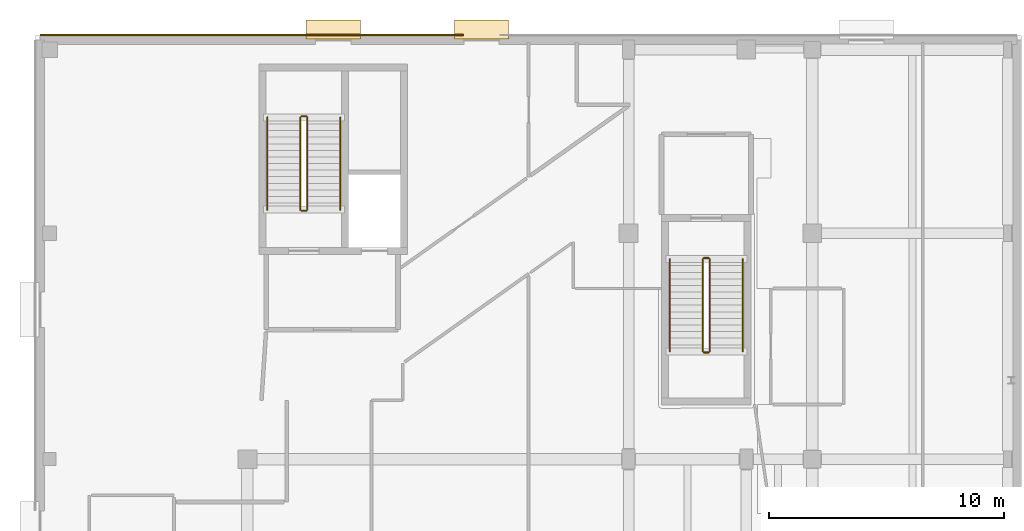
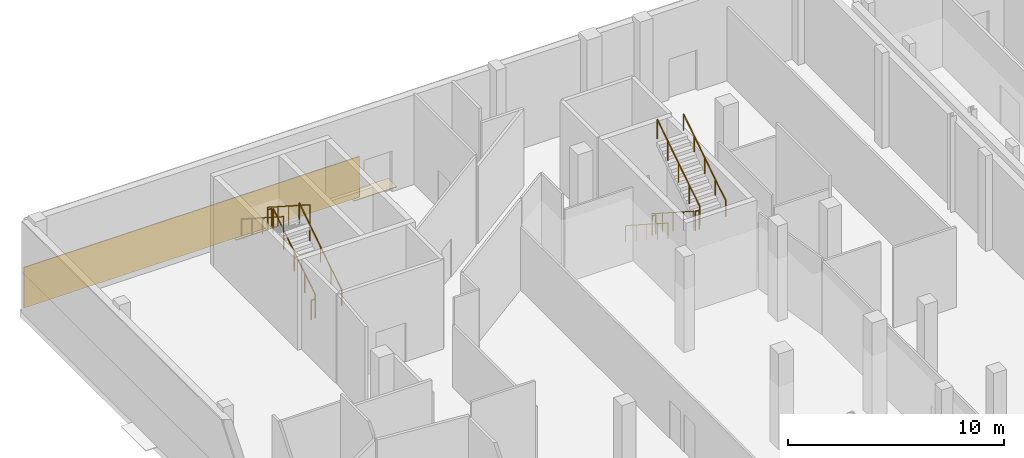
# One storey, part 70 of 84: 12 railings, 3 coverings.
"""IFC4 building model written with IfcOpenShell, lengths in metres."""

from ifc_helpers import new_model, si_unit, direction, frame, origin, origin_2d, place, context, subcontext, project, spatial, rectangle, circle, extrude, material, layer, layer_set, type_object, element, save


model = new_model("IFC4")

# Units and contexts
model_context = context("Model", 3, precision=1e-05, world=origin(), true_north=direction((0.0, 1.0)))
body_context = subcontext(model_context, "Body", "Model", "MODEL_VIEW")
ifc_project = project(units=[si_unit("LENGTHUNIT", "METRE"), si_unit("AREAUNIT", "SQUARE_METRE"), si_unit("VOLUMEUNIT", "CUBIC_METRE"), si_unit("PLANEANGLEUNIT", "RADIAN"), si_unit("MASSUNIT", "GRAM", prefix="KILO")], contexts=[model_context])

# Site, building, storey
site_placement = place(None, origin())
site = spatial("IfcSite", under=ifc_project, at=site_placement, CompositionType="ELEMENT")
building_placement = place(site_placement, origin())
building = spatial("IfcBuilding", under=site, at=building_placement, Name="Mzevani Central Library", CompositionType="ELEMENT")
storey_placement = place(building_placement, origin())
storey = spatial("IfcBuildingStorey", under=building, at=storey_placement, Name="L00", CompositionType="ELEMENT", Elevation=0.0)

# Railings
ifc_material_1 = material(Name="Brushed stainless steel rail", Category="steel")
railing_type_1 = type_object("IfcRailingType", Name="Interior Gallery and Stair Guard 1100", PredefinedType="BALUSTRADE", material=ifc_material_1)
railing_1_placement = place(storey_placement, frame((15.550048828125, 110.60009765625, 0.179931640625)))
element("IfcRailing", 1, at=railing_1_placement, inside=storey, type_object=railing_type_1, Name="L00 ST-03 stair guard 1", PredefinedType="BALUSTRADE", context=body_context, shape_type="SweptSolid", body=[
    extrude(circle(Radius=0.02392578125, at=origin_2d()), frame((0.0, 0.0, 1.076171875), z_axis=(0.0, 0.841171666519, 0.540768182723), x_axis=(-1.0, 0.0, 0.0)), (0.0, 0.0, 1.0), 4.66015625),
    extrude(circle(Radius=0.02099609375, at=origin_2d()), origin(), (0.0, 0.0, 1.0), 1.052001953125),
    extrude(circle(Radius=0.02099609375, at=origin_2d()), frame((0.0, 0.97998046875, 0.6298828125)), (0.0, 0.0, 1.0), 1.052001953125),
    extrude(circle(Radius=0.02099609375, at=origin_2d()), frame((0.0, 1.9599609375, 1.260009765625)), (0.0, 0.0, 1.0), 1.052001953125),
    extrude(circle(Radius=0.02099609375, at=origin_2d()), frame((0.0, 2.93994140625, 1.89013671875)), (0.0, 0.0, 1.0), 1.052001953125),
    extrude(circle(Radius=0.02099609375, at=origin_2d()), frame((0.0, 3.919921875, 2.52001953125)), (0.0, 0.0, 1.0), 1.052001953125),
])
railing_2_placement = place(storey_placement, frame((15.5, 114.570068359375, 2.699951171875)))
element("IfcRailing", 2, at=railing_2_placement, inside=storey, type_object=railing_type_1, Name="L00 ST-03 stair guard 2", PredefinedType="BALUSTRADE", context=body_context, shape_type="SweptSolid", body=[
    extrude(circle(Radius=0.02392578125, at=origin_2d()), frame((0.0, 0.0, 1.076171875), z_axis=(-1.0, 0.0, 0.0), x_axis=(0.0, -1.0, 0.0)), (0.0, 0.0, 1.0), 0.199951171875),
    extrude(circle(Radius=0.02099609375, at=origin_2d()), origin(), (0.0, 0.0, 1.0), 1.052001953125),
    extrude(circle(Radius=0.02099609375, at=origin_2d()), frame((-0.199951171875, 0.0, 0.0)), (0.0, 0.0, 1.0), 1.052001953125),
])
railing_3_placement = place(storey_placement, frame((15.25, 114.52001953125, 2.8798828125)))
element("IfcRailing", 3, at=railing_3_placement, inside=storey, type_object=railing_type_1, Name="L00 ST-03 stair guard 3", PredefinedType="BALUSTRADE", context=body_context, shape_type="SweptSolid", body=[
    extrude(circle(Radius=0.02392578125, at=origin_2d()), frame((0.0, 0.0, 1.076171875), z_axis=(0.0, -0.841171666519, 0.540768182723), x_axis=(1.0, 0.0, 0.0)), (0.0, 0.0, 1.0), 4.66015625),
    extrude(circle(Radius=0.02099609375, at=origin_2d()), origin(), (0.0, 0.0, 1.0), 1.052001953125),
    extrude(circle(Radius=0.02099609375, at=origin_2d()), frame((0.0, -0.97998046875, 0.6298828125)), (0.0, 0.0, 1.0), 1.052001953125),
    extrude(circle(Radius=0.02099609375, at=origin_2d()), frame((0.0, -1.9599609375, 1.260009765625)), (0.0, 0.0, 1.0), 1.052001953125),
    extrude(circle(Radius=0.02099609375, at=origin_2d()), frame((0.0, -2.93994140625, 1.89013671875)), (0.0, 0.0, 1.0), 1.052001953125),
    extrude(circle(Radius=0.02099609375, at=origin_2d()), frame((0.0, -3.919921875, 2.52001953125)), (0.0, 0.0, 1.0), 1.052001953125),
])
railing_4_placement = place(storey_placement, frame((15.5, 110.550048828125, 0.0)))
element("IfcRailing", 4, at=railing_4_placement, inside=storey, type_object=railing_type_1, Name="L00 ST-03 stair guard 4", PredefinedType="BALUSTRADE", context=body_context, shape_type="SweptSolid", body=[
    extrude(circle(Radius=0.02392578125, at=origin_2d()), frame((0.0, 0.0, 1.076171875), z_axis=(-1.0, 0.0, 0.0), x_axis=(0.0, -1.0, 0.0)), (0.0, 0.0, 1.0), 0.199951171875),
    extrude(circle(Radius=0.02099609375, at=origin_2d()), origin(), (0.0, 0.0, 1.0), 1.052001953125),
    extrude(circle(Radius=0.02099609375, at=origin_2d()), frame((-0.199951171875, 0.0, 0.0)), (0.0, 0.0, 1.0), 1.052001953125),
])
railing_5_placement = place(storey_placement, frame((32.35009765625, 108.5, 0.179931640625)))
element("IfcRailing", 5, at=railing_5_placement, inside=storey, type_object=railing_type_1, Name="L00 ST-04 stair guard 1", PredefinedType="BALUSTRADE", context=body_context, shape_type="SweptSolid", body=[
    extrude(circle(Radius=0.02392578125, at=origin_2d()), frame((0.0, 0.0, 1.076171875), z_axis=(0.0, -0.841171666519, 0.540768182723), x_axis=(1.0, 0.0, 0.0)), (0.0, 0.0, 1.0), 4.66015625),
    extrude(circle(Radius=0.02099609375, at=origin_2d()), origin(), (0.0, 0.0, 1.0), 1.052001953125),
    extrude(circle(Radius=0.02099609375, at=origin_2d()), frame((0.0, -0.97998046875, 0.6298828125)), (0.0, 0.0, 1.0), 1.052001953125),
    extrude(circle(Radius=0.02099609375, at=origin_2d()), frame((0.0, -1.9599609375, 1.260009765625)), (0.0, 0.0, 1.0), 1.052001953125),
    extrude(circle(Radius=0.02099609375, at=origin_2d()), frame((0.0, -2.93994140625, 1.89013671875)), (0.0, 0.0, 1.0), 1.052001953125),
    extrude(circle(Radius=0.02099609375, at=origin_2d()), frame((0.0, -3.919921875, 2.52001953125)), (0.0, 0.0, 1.0), 1.052001953125),
])
railing_6_placement = place(storey_placement, frame((32.39990234375, 104.530029296875, 2.699951171875)))
element("IfcRailing", 6, at=railing_6_placement, inside=storey, type_object=railing_type_1, Name="L00 ST-04 stair guard 2", PredefinedType="BALUSTRADE", context=body_context, shape_type="SweptSolid", body=[
    extrude(circle(Radius=0.02392578125, at=origin_2d()), frame((0.0, 0.0, 1.076171875), z_axis=(1.0, 0.0, 0.0), x_axis=(0.0, 1.0, 0.0)), (0.0, 0.0, 1.0), 0.2001953125),
    extrude(circle(Radius=0.02099609375, at=origin_2d()), origin(), (0.0, 0.0, 1.0), 1.052001953125),
    extrude(circle(Radius=0.02099609375, at=origin_2d()), frame((0.2001953125, 0.0, 0.0)), (0.0, 0.0, 1.0), 1.052001953125),
])
railing_7_placement = place(storey_placement, frame((32.64990234375, 104.580078125, 2.8798828125)))
element("IfcRailing", 7, at=railing_7_placement, inside=storey, type_object=railing_type_1, Name="L00 ST-04 stair guard 3", PredefinedType="BALUSTRADE", context=body_context, shape_type="SweptSolid", body=[
    extrude(circle(Radius=0.02392578125, at=origin_2d()), frame((0.0, 0.0, 1.076171875), z_axis=(0.0, 0.841171666519, 0.540768182723), x_axis=(-1.0, 0.0, 0.0)), (0.0, 0.0, 1.0), 4.66015625),
    extrude(circle(Radius=0.02099609375, at=origin_2d()), origin(), (0.0, 0.0, 1.0), 1.052001953125),
    extrude(circle(Radius=0.02099609375, at=origin_2d()), frame((0.0, 0.97998046875, 0.6298828125)), (0.0, 0.0, 1.0), 1.052001953125),
    extrude(circle(Radius=0.02099609375, at=origin_2d()), frame((0.0, 1.9599609375, 1.260009765625)), (0.0, 0.0, 1.0), 1.052001953125),
    extrude(circle(Radius=0.02099609375, at=origin_2d()), frame((0.0, 2.93994140625, 1.89013671875)), (0.0, 0.0, 1.0), 1.052001953125),
    extrude(circle(Radius=0.02099609375, at=origin_2d()), frame((0.0, 3.919921875, 2.52001953125)), (0.0, 0.0, 1.0), 1.052001953125),
])
railing_8_placement = place(storey_placement, frame((32.39990234375, 108.550048828125, 0.0)))
element("IfcRailing", 8, at=railing_8_placement, inside=storey, type_object=railing_type_1, Name="L00 ST-04 stair guard 4", PredefinedType="BALUSTRADE", context=body_context, shape_type="SweptSolid", body=[
    extrude(circle(Radius=0.02392578125, at=origin_2d()), frame((0.0, 0.0, 1.076171875), z_axis=(1.0, 0.0, 0.0), x_axis=(0.0, 1.0, 0.0)), (0.0, 0.0, 1.0), 0.2001953125),
    extrude(circle(Radius=0.02099609375, at=origin_2d()), origin(), (0.0, 0.0, 1.0), 1.052001953125),
    extrude(circle(Radius=0.02099609375, at=origin_2d()), frame((0.2001953125, 0.0, 0.0)), (0.0, 0.0, 1.0), 1.052001953125),
])

# Covering
ifc_material_2 = material(Name="Limestone ashlar cladding", Category="masonry")
ifc_layer_1 = layer(ifc_material_2, 0.050048828125, Name="Limestone Ashlar Spandrel Cladding")
ifc_layer_set_1 = layer_set([ifc_layer_1], Name="Limestone ashlar cladding")
covering_type_1 = type_object("IfcCoveringType", Name="Limestone Ashlar Spandrel Cladding", PredefinedType="CLADDING", material=ifc_layer_set_1)
covering_placement = place(storey_placement, frame((13.195068359375, 118.02392578125, 0.0), z_axis=(0.0, 0.0, 1.0), x_axis=(1.0, 0.0, 0.0)))
element("IfcCovering", 9, at=covering_placement, inside=storey, type_object=covering_type_1, Name="L00 Warm-White Facade Pier 1 (EW4-V2-L00-0018)", PredefinedType="CLADDING", context=body_context, shape_type="SweptSolid", body=[
    extrude(rectangle(XDim=17.969970703125, YDim=0.050048828125, at=origin_2d()), origin(), (0.0, 0.0, 1.0), 2.300048828125),
])

# Railings
railing_type_2 = type_object("IfcRailingType", Name="Stair Wall Handrail 920", PredefinedType="HANDRAIL", material=ifc_material_1)
railing_9_placement = place(storey_placement, frame((16.949951171875, 110.60009765625, 0.179931640625)))
element("IfcRailing", 10, at=railing_9_placement, inside=storey, type_object=railing_type_2, Name="L00 ST-03 stair handrail 1", PredefinedType="HANDRAIL", context=body_context, shape_type="SweptSolid", body=[
    extrude(circle(Radius=0.02392578125, at=origin_2d()), frame((0.0, 0.0, 0.89599609375), z_axis=(0.0, 0.841171666519, 0.540768182723), x_axis=(-1.0, 0.0, 0.0)), (0.0, 0.0, 1.0), 4.66015625),
    extrude(circle(Radius=0.02099609375, at=origin_2d()), origin(), (0.0, 0.0, 1.0), 0.871826171875),
    extrude(circle(Radius=0.02099609375, at=origin_2d()), frame((0.0, 0.97998046875, 0.6298828125)), (0.0, 0.0, 1.0), 0.871826171875),
    extrude(circle(Radius=0.02099609375, at=origin_2d()), frame((0.0, 1.9599609375, 1.260009765625)), (0.0, 0.0, 1.0), 0.871826171875),
    extrude(circle(Radius=0.02099609375, at=origin_2d()), frame((0.0, 2.93994140625, 1.89013671875)), (0.0, 0.0, 1.0), 0.871826171875),
    extrude(circle(Radius=0.02099609375, at=origin_2d()), frame((0.0, 3.919921875, 2.52001953125)), (0.0, 0.0, 1.0), 0.871826171875),
])
for number, where, name in (
    (11, (13.85009765625, 114.52001953125, 2.8798828125), "L00 ST-03 stair handrail 2"),
    (12, (30.949951171875, 108.5, 0.179931640625), "L00 ST-04 stair handrail 1"),
):
    element("IfcRailing", number, at=place(storey_placement, frame(where)), inside=storey, type_object=railing_type_2, Name=name, PredefinedType="HANDRAIL", context=body_context, shape_type="SweptSolid", body=[
        extrude(circle(Radius=0.02392578125, at=origin_2d()), frame((0.0, 0.0, 0.89599609375), z_axis=(0.0, -0.841171666519, 0.540768182723), x_axis=(1.0, 0.0, 0.0)), (0.0, 0.0, 1.0), 4.66015625),
        extrude(circle(Radius=0.02099609375, at=origin_2d()), origin(), (0.0, 0.0, 1.0), 0.871826171875),
        extrude(circle(Radius=0.02099609375, at=origin_2d()), frame((0.0, -0.97998046875, 0.6298828125)), (0.0, 0.0, 1.0), 0.871826171875),
        extrude(circle(Radius=0.02099609375, at=origin_2d()), frame((0.0, -1.9599609375, 1.260009765625)), (0.0, 0.0, 1.0), 0.871826171875),
        extrude(circle(Radius=0.02099609375, at=origin_2d()), frame((0.0, -2.93994140625, 1.89013671875)), (0.0, 0.0, 1.0), 0.871826171875),
        extrude(circle(Radius=0.02099609375, at=origin_2d()), frame((0.0, -3.919921875, 2.52001953125)), (0.0, 0.0, 1.0), 0.871826171875),
    ])
railing_10_placement = place(storey_placement, frame((34.050048828125, 104.580078125, 2.8798828125)))
element("IfcRailing", 13, at=railing_10_placement, inside=storey, type_object=railing_type_2, Name="L00 ST-04 stair handrail 2", PredefinedType="HANDRAIL", context=body_context, shape_type="SweptSolid", body=[
    extrude(circle(Radius=0.02392578125, at=origin_2d()), frame((0.0, 0.0, 0.89599609375), z_axis=(0.0, 0.841171666519, 0.540768182723), x_axis=(-1.0, 0.0, 0.0)), (0.0, 0.0, 1.0), 4.66015625),
    extrude(circle(Radius=0.02099609375, at=origin_2d()), origin(), (0.0, 0.0, 1.0), 0.871826171875),
    extrude(circle(Radius=0.02099609375, at=origin_2d()), frame((0.0, 0.97998046875, 0.6298828125)), (0.0, 0.0, 1.0), 0.871826171875),
    extrude(circle(Radius=0.02099609375, at=origin_2d()), frame((0.0, 1.9599609375, 1.260009765625)), (0.0, 0.0, 1.0), 0.871826171875),
    extrude(circle(Radius=0.02099609375, at=origin_2d()), frame((0.0, 2.93994140625, 1.89013671875)), (0.0, 0.0, 1.0), 0.871826171875),
    extrude(circle(Radius=0.02099609375, at=origin_2d()), frame((0.0, 3.919921875, 2.52001953125)), (0.0, 0.0, 1.0), 0.871826171875),
])

# Coverings
ifc_material_3 = material(Name="Terrazzo stone flooring", Category="masonry")
ifc_layer_2 = layer(ifc_material_3, 0.030029296875, Name="Terrazzo Stone Floor Finish")
ifc_layer_set_2 = layer_set([ifc_layer_2], Name="Terrazzo stone flooring")
covering_type_2 = type_object("IfcCoveringType", Name="Terrazzo Stone Floor Finish", PredefinedType="FLOORING", material=ifc_layer_set_2)
for number, where, z_axis, x_axis, name in (
    (14, (22.949951171875, 118.260009765625, -0.0400390625), (0.0, 0.0, 1.0), (1.0, 0.0, 0.0), "L00 V2 Exterior Entrance Threshold Apron (12)"),
    (15, (16.64990234375, 118.260009765625, -0.0400390625), (0.0, 0.0, 1.0), (1.0, 0.0, 0.0), "L00 ST-03 Final Exit Discharge Apron"),
):
    element("IfcCovering", number, at=place(storey_placement, frame(where, z_axis=z_axis, x_axis=x_axis)), inside=storey, type_object=covering_type_2, Name=name, PredefinedType="FLOORING", context=body_context, shape_type="SweptSolid", body=[
        extrude(rectangle(XDim=2.300048828125, YDim=0.800048828125, at=origin_2d()), origin(), (0.0, 0.0, 1.0), 0.0400390625),
    ])

save(model, "model.ifc")
